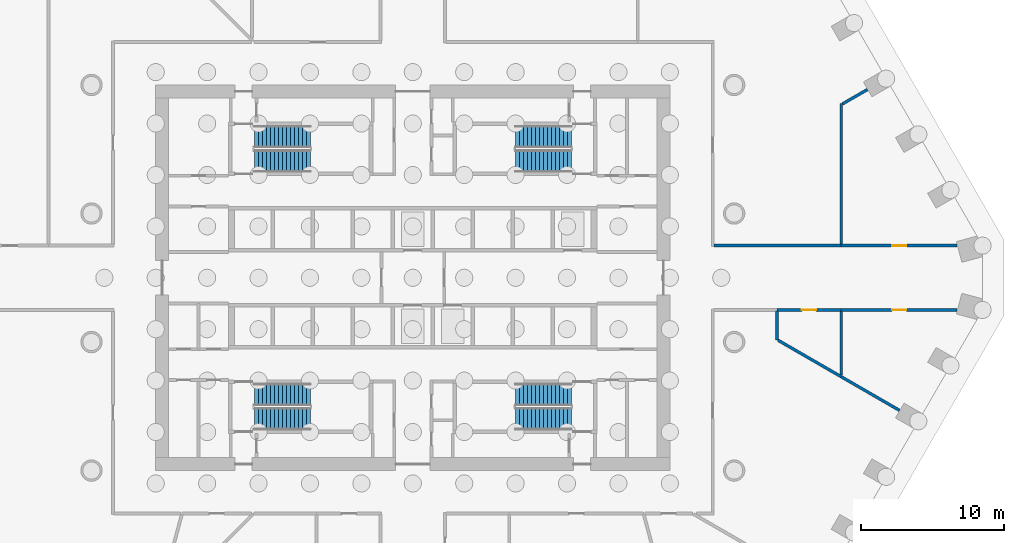
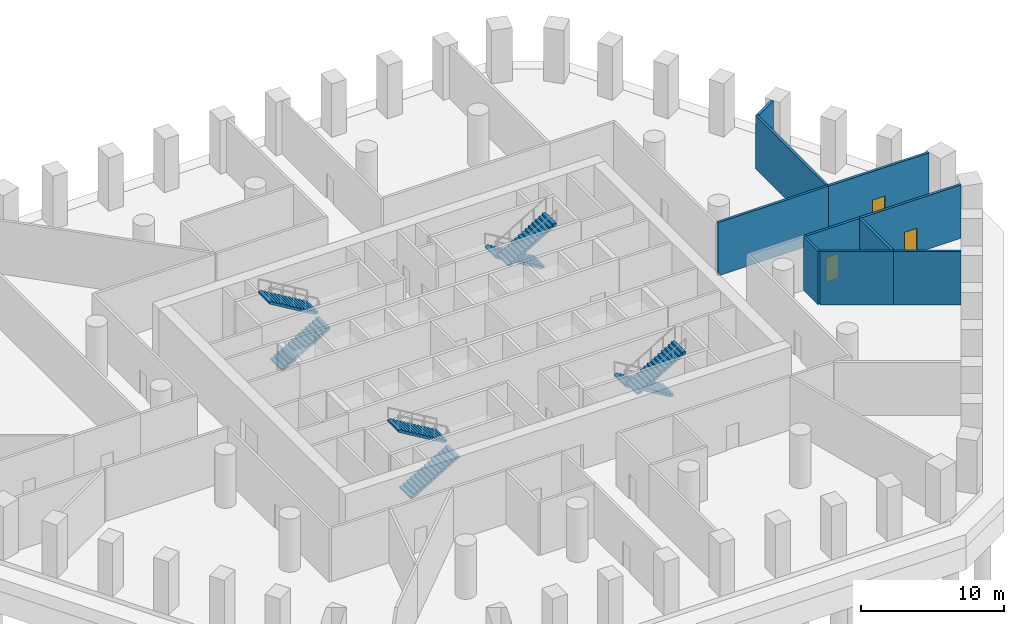
# One storey, part 7 of 9: 10 walls, 8 stair flights, 3 doors, 3 openings, 4 elements without a shape of their own.
"""IFC4 building model written with IfcOpenShell, lengths in metres."""

from ifc_helpers import new_model, si_unit, direction, frame, frame_2d, origin, place, context, subcontext, project, spatial, polyline, rectangle, outline, extrude, material, layer, layer_set, type_object, element, fill, aggregate, save


model = new_model("IFC4")

# Units and contexts
model_context = context("Model", 3, precision=1e-05, world=origin(), true_north=direction((0.0, 1.0)))
body_context = subcontext(model_context, "Body", "Model", "MODEL_VIEW")
ifc_project = project(units=[si_unit("LENGTHUNIT", "METRE"), si_unit("AREAUNIT", "SQUARE_METRE"), si_unit("VOLUMEUNIT", "CUBIC_METRE"), si_unit("PLANEANGLEUNIT", "RADIAN"), si_unit("MASSUNIT", "GRAM", prefix="KILO")], contexts=[model_context])

# Site, building, storey
site_placement = place(None, origin())
site = spatial("IfcSite", under=ifc_project, at=site_placement, CompositionType="ELEMENT")
building_placement = place(site_placement, origin())
building = spatial("IfcBuilding", under=site, at=building_placement, Name="Dhurran Vertical Campus", CompositionType="ELEMENT")
storey_placement = place(building_placement, frame((0.0, 0.0, -5.0)))
storey = spatial("IfcBuildingStorey", under=building, at=storey_placement, Name="B1", CompositionType="ELEMENT", Elevation=-5.0)

# Walls
ifc_material_1 = material(Name="Concrete blockwork plant room wall, fire-rated", Category="masonry")
ifc_layer = layer(ifc_material_1, 0.199951171875)
ifc_layer_set = layer_set([ifc_layer], Name="Concrete blockwork plant room wall, fire-rated")
wall_type = type_object("IfcWallType", Name="bs-PW-200 plant room wall", PredefinedType="PARTITIONING", material=ifc_layer_set)
wall_1_placement = place(storey_placement, frame((21.074951171875, 2.25, 0.0), z_axis=(0.0, 0.0, 1.0), x_axis=(1.0, 0.0, 0.0)))
element("IfcWall", 1, at=wall_1_placement, inside=storey, type_object=wall_type, Name="Plant wall B1-46", PredefinedType="PARTITIONING", context=body_context, shape_type="SweptSolid", body=[
    extrude(rectangle(XDim=8.925048828125, YDim=0.199951171875, at=frame_2d((4.46240234375, 0.0))), origin(), (0.0, 0.0, 1.0), 4.550048828125),
])
wall_2_placement = place(storey_placement, frame((25.5, -2.324951171875, 0.0), z_axis=(0.0, 0.0, 1.0), x_axis=(0.0, -1.0, 0.0)))
element("IfcWall", 2, at=wall_2_placement, inside=storey, type_object=wall_type, Name="Plant wall B1-47", PredefinedType="PARTITIONING", context=body_context, shape_type="SweptSolid", body=[
    extrude(rectangle(XDim=2.030029296875, YDim=0.199951171875, at=frame_2d((1.01513671875, 0.0))), origin(), (0.0, 0.0, 1.0), 4.550048828125),
])
wall_3_placement = place(storey_placement, frame((25.56494140625, -4.367431640625, 0.0), z_axis=(0.0, 0.0, 1.0), x_axis=(0.866028396804, -0.499994815902, 0.0)))
element("IfcWall", 3, at=wall_3_placement, inside=storey, type_object=wall_type, Name="Plant wall B1-48", PredefinedType="PARTITIONING", context=body_context, shape_type="SweptSolid", body=[
    extrude(rectangle(XDim=5.12109375, YDim=0.199951171875, at=frame_2d((2.560546875, 0.0))), origin(), (0.0, 0.0, 1.0), 4.550048828125),
])

# Wall, opening, door
wall_4_placement = place(storey_placement, frame((30.0, -2.25, 0.0), z_axis=(0.0, 0.0, 1.0), x_axis=(-1.0, 0.0, 0.0)))
wall_4 = element("IfcWall", 4, at=wall_4_placement, inside=storey, type_object=wall_type, Name="Plant wall B1-49", PredefinedType="PARTITIONING", context=body_context, shape_type="SweptSolid", body=[
    extrude(rectangle(XDim=4.5, YDim=0.199951171875, at=frame_2d((2.25, 0.0))), origin(), (0.0, 0.0, 1.0), 4.550048828125),
])
opening_1_placement = place(wall_4_placement, frame((1.75, 0.0, 0.0)))
opening_1 = element("IfcOpeningElement", 5, at=opening_1_placement, cuts=wall_4, Name="Opening BS.17", PredefinedType="OPENING", context=body_context, shape_type="SweptSolid", body=[
    extrude(rectangle(XDim=1.0, YDim=2.10009765625, at=frame_2d((0.5, 1.050048828125))), frame((0.0, 0.10986328125, 0.0), z_axis=(0.0, -1.0, 0.0), x_axis=(1.0, 0.0, 0.0)), (0.0, 0.0, 1.0), 0.219970703125),
])
ifc_material_2 = material(Name="Solid-core timber door set, fire-rated", Category="wood")
door_type = type_object("IfcDoorType", Name="fl-D-1000x2100", OperationType="SINGLE_SWING_LEFT", PredefinedType="DOOR", material=ifc_material_2)
door_1_placement = place(opening_1_placement, origin())
door_1 = element("IfcDoor", 6, at=door_1_placement, inside=storey, type_object=door_type, Name="Door B1.17", OperationType="SINGLE_SWING_RIGHT", OverallHeight=2.10009765625, OverallWidth=1.0, PredefinedType="DOOR", context=body_context, shape_type="SweptSolid", body=[
    extrude(rectangle(XDim=1.0, YDim=2.10009765625, at=frame_2d((0.5, 1.050048828125))), frame((0.0, 0.02490234375, 0.0), z_axis=(0.0, -1.0, 0.0), x_axis=(1.0, 0.0, 0.0)), (0.0, 0.0, 1.0), 0.050048828125),
])
fill(opening_1, door_1)

# Walls
wall_5_placement = place(storey_placement, frame((30.0, -2.324951171875, 0.0), z_axis=(0.0, 0.0, 1.0), x_axis=(0.0, -1.0, 0.0)))
element("IfcWall", 7, at=wall_5_placement, inside=storey, type_object=wall_type, Name="Plant wall B1-50", PredefinedType="PARTITIONING", context=body_context, shape_type="SweptSolid", body=[
    extrude(rectangle(XDim=4.47314453125, YDim=0.199951171875, at=frame_2d((2.236572265625, 0.0))), origin(), (0.0, 0.0, 1.0), 4.550048828125),
])
wall_6_placement = place(storey_placement, frame((30.0, -6.927978515625, 0.0), z_axis=(0.0, 0.0, 1.0), x_axis=(0.86601216145, -0.500022935695, 0.0)))
element("IfcWall", 8, at=wall_6_placement, inside=storey, type_object=wall_type, Name="Plant wall B1-51", PredefinedType="PARTITIONING", context=body_context, shape_type="SweptSolid", body=[
    extrude(rectangle(XDim=4.712158203125, YDim=0.199951171875, at=frame_2d((2.35595703125, 0.0))), origin(), (0.0, 0.0, 1.0), 4.550048828125),
])

# Wall, opening, door
wall_7_placement = place(storey_placement, frame((38.115478515625, -2.25, 0.0), z_axis=(0.0, 0.0, 1.0), x_axis=(-1.0, 0.0, 0.0)))
wall_7 = element("IfcWall", 9, at=wall_7_placement, inside=storey, type_object=wall_type, Name="Plant wall B1-52", PredefinedType="PARTITIONING", context=body_context, shape_type="SweptSolid", body=[
    extrude(rectangle(XDim=8.115478515625, YDim=0.199951171875, at=frame_2d((4.0576171875, 0.0))), origin(), (0.0, 0.0, 1.0), 4.550048828125),
])
opening_2_placement = place(wall_7_placement, frame((3.5576171875, 0.0, 0.0)))
opening_2 = element("IfcOpeningElement", 10, at=opening_2_placement, cuts=wall_7, Name="Opening BS.19", PredefinedType="OPENING", context=body_context, shape_type="SweptSolid", body=[
    extrude(rectangle(XDim=1.0, YDim=2.10009765625, at=frame_2d((0.5, 1.050048828125))), frame((0.0, 0.10986328125, 0.0), z_axis=(0.0, -1.0, 0.0), x_axis=(1.0, 0.0, 0.0)), (0.0, 0.0, 1.0), 0.219970703125),
])
door_2_placement = place(opening_2_placement, origin())
door_2 = element("IfcDoor", 11, at=door_2_placement, inside=storey, type_object=door_type, Name="Door B1.19", OperationType="SINGLE_SWING_RIGHT", OverallHeight=2.10009765625, OverallWidth=1.0, PredefinedType="DOOR", context=body_context, shape_type="SweptSolid", body=[
    extrude(rectangle(XDim=1.0, YDim=2.10009765625, at=frame_2d((0.5, 1.050048828125))), frame((0.0, 0.02490234375, 0.0), z_axis=(0.0, -1.0, 0.0), x_axis=(1.0, 0.0, 0.0)), (0.0, 0.0, 1.0), 0.050048828125),
])
fill(opening_2, door_2)

# Wall
wall_8_placement = place(storey_placement, frame((30.0, 12.198974609375, 0.0), z_axis=(0.0, 0.0, 1.0), x_axis=(0.0, -1.0, 0.0)))
element("IfcWall", 12, at=wall_8_placement, inside=storey, type_object=wall_type, Name="Plant wall B1-53", PredefinedType="PARTITIONING", context=body_context, shape_type="SweptSolid", body=[
    extrude(rectangle(XDim=9.8740234375, YDim=0.199951171875, at=frame_2d((4.93701171875, 0.0))), origin(), (0.0, 0.0, 1.0), 4.550048828125),
])

# Wall, opening, door
wall_9_placement = place(storey_placement, frame((30.0, 2.25, 0.0), z_axis=(0.0, 0.0, 1.0), x_axis=(1.0, 0.0, 0.0)))
wall_9 = element("IfcWall", 13, at=wall_9_placement, inside=storey, type_object=wall_type, Name="Plant wall B1-54", PredefinedType="PARTITIONING", context=body_context, shape_type="SweptSolid", body=[
    extrude(rectangle(XDim=8.115478515625, YDim=0.199951171875, at=frame_2d((4.0576171875, 0.0))), origin(), (0.0, 0.0, 1.0), 4.550048828125),
])
opening_3_placement = place(wall_9_placement, frame((3.5576171875, 0.0, 0.0)))
opening_3 = element("IfcOpeningElement", 14, at=opening_3_placement, cuts=wall_9, Name="Opening BS.18", PredefinedType="OPENING", context=body_context, shape_type="SweptSolid", body=[
    extrude(rectangle(XDim=1.0, YDim=2.10009765625, at=frame_2d((0.5, 1.050048828125))), frame((0.0, 0.10986328125, 0.0), z_axis=(0.0, -1.0, 0.0), x_axis=(1.0, 0.0, 0.0)), (0.0, 0.0, 1.0), 0.219970703125),
])
door_3_placement = place(opening_3_placement, origin())
door_3 = element("IfcDoor", 15, at=door_3_placement, inside=storey, type_object=door_type, Name="Door B1.18", OperationType="SINGLE_SWING_LEFT", OverallHeight=2.10009765625, OverallWidth=1.0, PredefinedType="DOOR", context=body_context, shape_type="SweptSolid", body=[
    extrude(rectangle(XDim=1.0, YDim=2.10009765625, at=frame_2d((0.5, 1.050048828125))), frame((0.0, 0.02490234375, 0.0), z_axis=(0.0, -1.0, 0.0), x_axis=(1.0, 0.0, 0.0)), (0.0, 0.0, 1.0), 0.050048828125),
])
fill(opening_3, door_3)

# Wall
wall_10_placement = place(storey_placement, frame((31.830810546875, 13.18115234375, 0.0), z_axis=(0.0, 0.0, 1.0), x_axis=(-0.86600389892, -0.500037245667, 0.0)))
element("IfcWall", 16, at=wall_10_placement, inside=storey, type_object=wall_type, Name="Plant wall B1-55", PredefinedType="PARTITIONING", context=body_context, shape_type="SweptSolid", body=[
    extrude(rectangle(XDim=2.013916015625, YDim=0.199951171875, at=frame_2d((1.0068359375, 0.0))), origin(), (0.0, 0.0, 1.0), 4.550048828125),
])

# Stair, stair flights
ifc_material_3 = material(Name="Concrete C40/50", Category="concrete")
stair_type = type_object("IfcStairType", Name="co-ST-CORE", PredefinedType="HALF_TURN_STAIR", material=ifc_material_3)
stair_1_placement = place(storey_placement, origin())
stair_1 = element("IfcStair", 17, at=stair_1_placement, inside=storey, type_object=stair_type, Name="B1 Protected exit stair ST1", PredefinedType="HALF_TURN_STAIR")
ifc_material_4 = material(Name="Concrete C40/50", Category="concrete")
stair_flight_type = type_object("IfcStairFlightType", Name="co-SFL-RC", PredefinedType="STRAIGHT", material=ifc_material_4)
stair_flight_1_placement = place(storey_placement, frame((-11.10009765625, 8.175048828125, 0.0), z_axis=(0.0, 0.0, 1.0), x_axis=(1.0, 0.0, 0.0)))
stair_flight_1 = element("IfcStairFlight", 18, at=stair_flight_1_placement, type_object=stair_flight_type, Name="ST1 flight 1", NumberOfRisers=15, NumberOfTreads=14, PredefinedType="STRAIGHT", RiserHeight=0.166666667, TreadLength=0.28, context=body_context, shape_type="SweptSolid", body=[
    extrude(outline(polyline([(0.0, 0.0), (0.0, 0.166748046875), (0.280029296875, 0.166748046875), (0.280029296875, 0.333251953125), (0.56005859375, 0.333251953125), (0.56005859375, 0.5), (0.840087890625, 0.5), (0.840087890625, 0.666748046875), (1.1201171875, 0.666748046875), (1.1201171875, 0.833251953125), (1.39990234375, 0.833251953125), (1.39990234375, 1.0), (1.679931640625, 1.0), (1.679931640625, 1.166748046875), (1.9599609375, 1.166748046875), (1.9599609375, 1.333251953125), (2.239990234375, 1.333251953125), (2.239990234375, 1.5), (2.52001953125, 1.5), (2.52001953125, 1.666748046875), (2.800048828125, 1.666748046875), (2.800048828125, 1.833251953125), (3.080078125, 1.833251953125), (3.080078125, 2.0), (3.360107421875, 2.0), (3.360107421875, 2.166748046875), (3.639892578125, 2.166748046875), (3.639892578125, 2.333251953125), (3.919921875, 2.333251953125), (3.919921875, 2.5), (3.919921875, 2.158935546875), (0.29296875, 0.0), (0.0, 0.0)])), frame((0.0, 0.77490234375, 0.0), z_axis=(0.0, -1.0, 0.0), x_axis=(1.0, 0.0, 0.0)), (0.0, 0.0, 1.0), 1.550048828125),
])
stair_flight_2_placement = place(storey_placement, frame((-7.179931640625, 9.875, 2.5), z_axis=(0.0, 0.0, 1.0), x_axis=(-1.0, 0.0, 0.0)))
stair_flight_2 = element("IfcStairFlight", 19, at=stair_flight_2_placement, type_object=stair_flight_type, Name="ST1 flight 2", NumberOfRisers=15, NumberOfTreads=14, PredefinedType="STRAIGHT", RiserHeight=0.166666667, TreadLength=0.28, context=body_context, shape_type="SweptSolid", body=[
    extrude(outline(polyline([(0.0, 0.0), (0.0, 0.166748046875), (0.280029296875, 0.166748046875), (0.280029296875, 0.333251953125), (0.56005859375, 0.333251953125), (0.56005859375, 0.5), (0.840087890625, 0.5), (0.840087890625, 0.666748046875), (1.1201171875, 0.666748046875), (1.1201171875, 0.833251953125), (1.39990234375, 0.833251953125), (1.39990234375, 1.0), (1.679931640625, 1.0), (1.679931640625, 1.166748046875), (1.9599609375, 1.166748046875), (1.9599609375, 1.333251953125), (2.239990234375, 1.333251953125), (2.239990234375, 1.5), (2.52001953125, 1.5), (2.52001953125, 1.666748046875), (2.800048828125, 1.666748046875), (2.800048828125, 1.833251953125), (3.080078125, 1.833251953125), (3.080078125, 2.0), (3.360107421875, 2.0), (3.360107421875, 2.166748046875), (3.639892578125, 2.166748046875), (3.639892578125, 2.333251953125), (3.919921875, 2.333251953125), (3.919921875, 2.5), (3.919921875, 2.158935546875), (0.29296875, 0.0), (0.0, 0.0)])), frame((0.0, 0.77490234375, 0.0), z_axis=(0.0, -1.0, 0.0), x_axis=(1.0, 0.0, 0.0)), (0.0, 0.0, 1.0), 1.550048828125),
])
aggregate(stair_1, [stair_flight_1, stair_flight_2])

stair_2_placement = place(storey_placement, origin())
stair_2 = element("IfcStair", 20, at=stair_2_placement, inside=storey, type_object=stair_type, Name="B1 Protected exit stair ST2", PredefinedType="HALF_TURN_STAIR")
stair_flight_3_placement = place(storey_placement, frame((11.10009765625, 9.875, 0.0), z_axis=(0.0, 0.0, 1.0), x_axis=(-1.0, 0.0, 0.0)))
stair_flight_3 = element("IfcStairFlight", 21, at=stair_flight_3_placement, type_object=stair_flight_type, Name="ST2 flight 1", NumberOfRisers=15, NumberOfTreads=14, PredefinedType="STRAIGHT", RiserHeight=0.166666667, TreadLength=0.28, context=body_context, shape_type="SweptSolid", body=[
    extrude(outline(polyline([(0.0, 0.0), (0.0, 0.166748046875), (0.280029296875, 0.166748046875), (0.280029296875, 0.333251953125), (0.56005859375, 0.333251953125), (0.56005859375, 0.5), (0.840087890625, 0.5), (0.840087890625, 0.666748046875), (1.1201171875, 0.666748046875), (1.1201171875, 0.833251953125), (1.39990234375, 0.833251953125), (1.39990234375, 1.0), (1.679931640625, 1.0), (1.679931640625, 1.166748046875), (1.9599609375, 1.166748046875), (1.9599609375, 1.333251953125), (2.239990234375, 1.333251953125), (2.239990234375, 1.5), (2.52001953125, 1.5), (2.52001953125, 1.666748046875), (2.800048828125, 1.666748046875), (2.800048828125, 1.833251953125), (3.080078125, 1.833251953125), (3.080078125, 2.0), (3.360107421875, 2.0), (3.360107421875, 2.166748046875), (3.639892578125, 2.166748046875), (3.639892578125, 2.333251953125), (3.919921875, 2.333251953125), (3.919921875, 2.5), (3.919921875, 2.158935546875), (0.29296875, 0.0), (0.0, 0.0)])), frame((0.0, 0.77490234375, 0.0), z_axis=(0.0, -1.0, 0.0), x_axis=(1.0, 0.0, 0.0)), (0.0, 0.0, 1.0), 1.550048828125),
])
stair_flight_4_placement = place(storey_placement, frame((7.179931640625, 8.175048828125, 2.5), z_axis=(0.0, 0.0, 1.0), x_axis=(1.0, 0.0, 0.0)))
stair_flight_4 = element("IfcStairFlight", 22, at=stair_flight_4_placement, type_object=stair_flight_type, Name="ST2 flight 2", NumberOfRisers=15, NumberOfTreads=14, PredefinedType="STRAIGHT", RiserHeight=0.166666667, TreadLength=0.28, context=body_context, shape_type="SweptSolid", body=[
    extrude(outline(polyline([(0.0, 0.0), (0.0, 0.166748046875), (0.280029296875, 0.166748046875), (0.280029296875, 0.333251953125), (0.56005859375, 0.333251953125), (0.56005859375, 0.5), (0.840087890625, 0.5), (0.840087890625, 0.666748046875), (1.1201171875, 0.666748046875), (1.1201171875, 0.833251953125), (1.39990234375, 0.833251953125), (1.39990234375, 1.0), (1.679931640625, 1.0), (1.679931640625, 1.166748046875), (1.9599609375, 1.166748046875), (1.9599609375, 1.333251953125), (2.239990234375, 1.333251953125), (2.239990234375, 1.5), (2.52001953125, 1.5), (2.52001953125, 1.666748046875), (2.800048828125, 1.666748046875), (2.800048828125, 1.833251953125), (3.080078125, 1.833251953125), (3.080078125, 2.0), (3.360107421875, 2.0), (3.360107421875, 2.166748046875), (3.639892578125, 2.166748046875), (3.639892578125, 2.333251953125), (3.919921875, 2.333251953125), (3.919921875, 2.5), (3.919921875, 2.158935546875), (0.29296875, 0.0), (0.0, 0.0)])), frame((0.0, 0.77490234375, 0.0), z_axis=(0.0, -1.0, 0.0), x_axis=(1.0, 0.0, 0.0)), (0.0, 0.0, 1.0), 1.550048828125),
])
aggregate(stair_2, [stair_flight_3, stair_flight_4])

stair_3_placement = place(storey_placement, origin())
stair_3 = element("IfcStair", 23, at=stair_3_placement, inside=storey, type_object=stair_type, Name="B1 Protected exit stair ST3", PredefinedType="HALF_TURN_STAIR")
stair_flight_5_placement = place(storey_placement, frame((-11.10009765625, -9.875, 0.0), z_axis=(0.0, 0.0, 1.0), x_axis=(1.0, 0.0, 0.0)))
stair_flight_5 = element("IfcStairFlight", 24, at=stair_flight_5_placement, type_object=stair_flight_type, Name="ST3 flight 1", NumberOfRisers=15, NumberOfTreads=14, PredefinedType="STRAIGHT", RiserHeight=0.166666667, TreadLength=0.28, context=body_context, shape_type="SweptSolid", body=[
    extrude(outline(polyline([(0.0, 0.0), (0.0, 0.166748046875), (0.280029296875, 0.166748046875), (0.280029296875, 0.333251953125), (0.56005859375, 0.333251953125), (0.56005859375, 0.5), (0.840087890625, 0.5), (0.840087890625, 0.666748046875), (1.1201171875, 0.666748046875), (1.1201171875, 0.833251953125), (1.39990234375, 0.833251953125), (1.39990234375, 1.0), (1.679931640625, 1.0), (1.679931640625, 1.166748046875), (1.9599609375, 1.166748046875), (1.9599609375, 1.333251953125), (2.239990234375, 1.333251953125), (2.239990234375, 1.5), (2.52001953125, 1.5), (2.52001953125, 1.666748046875), (2.800048828125, 1.666748046875), (2.800048828125, 1.833251953125), (3.080078125, 1.833251953125), (3.080078125, 2.0), (3.360107421875, 2.0), (3.360107421875, 2.166748046875), (3.639892578125, 2.166748046875), (3.639892578125, 2.333251953125), (3.919921875, 2.333251953125), (3.919921875, 2.5), (3.919921875, 2.158935546875), (0.29296875, 0.0), (0.0, 0.0)])), frame((0.0, 0.77490234375, 0.0), z_axis=(0.0, -1.0, 0.0), x_axis=(1.0, 0.0, 0.0)), (0.0, 0.0, 1.0), 1.550048828125),
])
stair_flight_6_placement = place(storey_placement, frame((-7.179931640625, -8.175048828125, 2.5), z_axis=(0.0, 0.0, 1.0), x_axis=(-1.0, 0.0, 0.0)))
stair_flight_6 = element("IfcStairFlight", 25, at=stair_flight_6_placement, type_object=stair_flight_type, Name="ST3 flight 2", NumberOfRisers=15, NumberOfTreads=14, PredefinedType="STRAIGHT", RiserHeight=0.166666667, TreadLength=0.28, context=body_context, shape_type="SweptSolid", body=[
    extrude(outline(polyline([(0.0, 0.0), (0.0, 0.166748046875), (0.280029296875, 0.166748046875), (0.280029296875, 0.333251953125), (0.56005859375, 0.333251953125), (0.56005859375, 0.5), (0.840087890625, 0.5), (0.840087890625, 0.666748046875), (1.1201171875, 0.666748046875), (1.1201171875, 0.833251953125), (1.39990234375, 0.833251953125), (1.39990234375, 1.0), (1.679931640625, 1.0), (1.679931640625, 1.166748046875), (1.9599609375, 1.166748046875), (1.9599609375, 1.333251953125), (2.239990234375, 1.333251953125), (2.239990234375, 1.5), (2.52001953125, 1.5), (2.52001953125, 1.666748046875), (2.800048828125, 1.666748046875), (2.800048828125, 1.833251953125), (3.080078125, 1.833251953125), (3.080078125, 2.0), (3.360107421875, 2.0), (3.360107421875, 2.166748046875), (3.639892578125, 2.166748046875), (3.639892578125, 2.333251953125), (3.919921875, 2.333251953125), (3.919921875, 2.5), (3.919921875, 2.158935546875), (0.29296875, 0.0), (0.0, 0.0)])), frame((0.0, 0.77490234375, 0.0), z_axis=(0.0, -1.0, 0.0), x_axis=(1.0, 0.0, 0.0)), (0.0, 0.0, 1.0), 1.550048828125),
])
aggregate(stair_3, [stair_flight_5, stair_flight_6])

stair_4_placement = place(storey_placement, origin())
stair_4 = element("IfcStair", 26, at=stair_4_placement, inside=storey, type_object=stair_type, Name="B1 Protected exit stair ST4", PredefinedType="HALF_TURN_STAIR")
stair_flight_7_placement = place(storey_placement, frame((11.10009765625, -8.175048828125, 0.0), z_axis=(0.0, 0.0, 1.0), x_axis=(-1.0, 0.0, 0.0)))
stair_flight_7 = element("IfcStairFlight", 27, at=stair_flight_7_placement, type_object=stair_flight_type, Name="ST4 flight 1", NumberOfRisers=15, NumberOfTreads=14, PredefinedType="STRAIGHT", RiserHeight=0.166666667, TreadLength=0.28, context=body_context, shape_type="SweptSolid", body=[
    extrude(outline(polyline([(0.0, 0.0), (0.0, 0.166748046875), (0.280029296875, 0.166748046875), (0.280029296875, 0.333251953125), (0.56005859375, 0.333251953125), (0.56005859375, 0.5), (0.840087890625, 0.5), (0.840087890625, 0.666748046875), (1.1201171875, 0.666748046875), (1.1201171875, 0.833251953125), (1.39990234375, 0.833251953125), (1.39990234375, 1.0), (1.679931640625, 1.0), (1.679931640625, 1.166748046875), (1.9599609375, 1.166748046875), (1.9599609375, 1.333251953125), (2.239990234375, 1.333251953125), (2.239990234375, 1.5), (2.52001953125, 1.5), (2.52001953125, 1.666748046875), (2.800048828125, 1.666748046875), (2.800048828125, 1.833251953125), (3.080078125, 1.833251953125), (3.080078125, 2.0), (3.360107421875, 2.0), (3.360107421875, 2.166748046875), (3.639892578125, 2.166748046875), (3.639892578125, 2.333251953125), (3.919921875, 2.333251953125), (3.919921875, 2.5), (3.919921875, 2.158935546875), (0.29296875, 0.0), (0.0, 0.0)])), frame((0.0, 0.77490234375, 0.0), z_axis=(0.0, -1.0, 0.0), x_axis=(1.0, 0.0, 0.0)), (0.0, 0.0, 1.0), 1.550048828125),
])
stair_flight_8_placement = place(storey_placement, frame((7.179931640625, -9.875, 2.5), z_axis=(0.0, 0.0, 1.0), x_axis=(1.0, 0.0, 0.0)))
stair_flight_8 = element("IfcStairFlight", 28, at=stair_flight_8_placement, type_object=stair_flight_type, Name="ST4 flight 2", NumberOfRisers=15, NumberOfTreads=14, PredefinedType="STRAIGHT", RiserHeight=0.166666667, TreadLength=0.28, context=body_context, shape_type="SweptSolid", body=[
    extrude(outline(polyline([(0.0, 0.0), (0.0, 0.166748046875), (0.280029296875, 0.166748046875), (0.280029296875, 0.333251953125), (0.56005859375, 0.333251953125), (0.56005859375, 0.5), (0.840087890625, 0.5), (0.840087890625, 0.666748046875), (1.1201171875, 0.666748046875), (1.1201171875, 0.833251953125), (1.39990234375, 0.833251953125), (1.39990234375, 1.0), (1.679931640625, 1.0), (1.679931640625, 1.166748046875), (1.9599609375, 1.166748046875), (1.9599609375, 1.333251953125), (2.239990234375, 1.333251953125), (2.239990234375, 1.5), (2.52001953125, 1.5), (2.52001953125, 1.666748046875), (2.800048828125, 1.666748046875), (2.800048828125, 1.833251953125), (3.080078125, 1.833251953125), (3.080078125, 2.0), (3.360107421875, 2.0), (3.360107421875, 2.166748046875), (3.639892578125, 2.166748046875), (3.639892578125, 2.333251953125), (3.919921875, 2.333251953125), (3.919921875, 2.5), (3.919921875, 2.158935546875), (0.29296875, 0.0), (0.0, 0.0)])), frame((0.0, 0.77490234375, 0.0), z_axis=(0.0, -1.0, 0.0), x_axis=(1.0, 0.0, 0.0)), (0.0, 0.0, 1.0), 1.550048828125),
])
aggregate(stair_4, [stair_flight_7, stair_flight_8])

save(model, "model.ifc")
